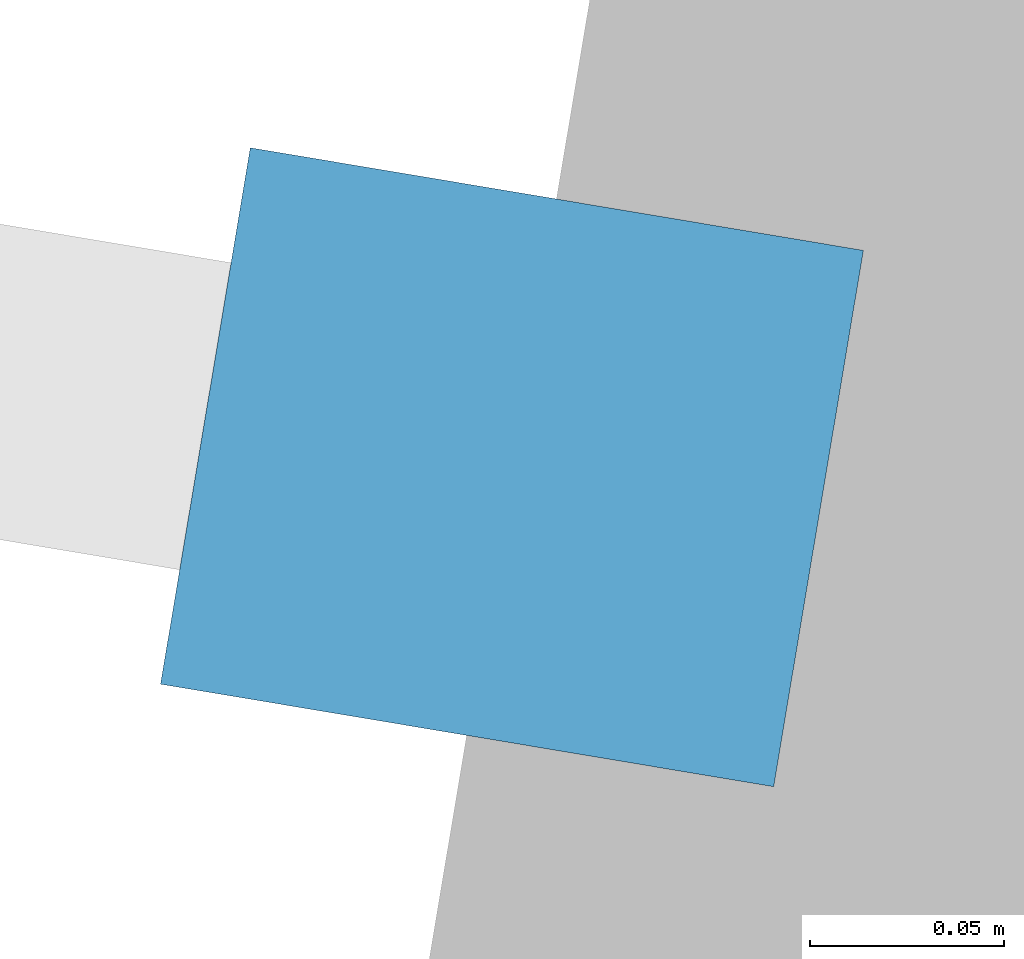
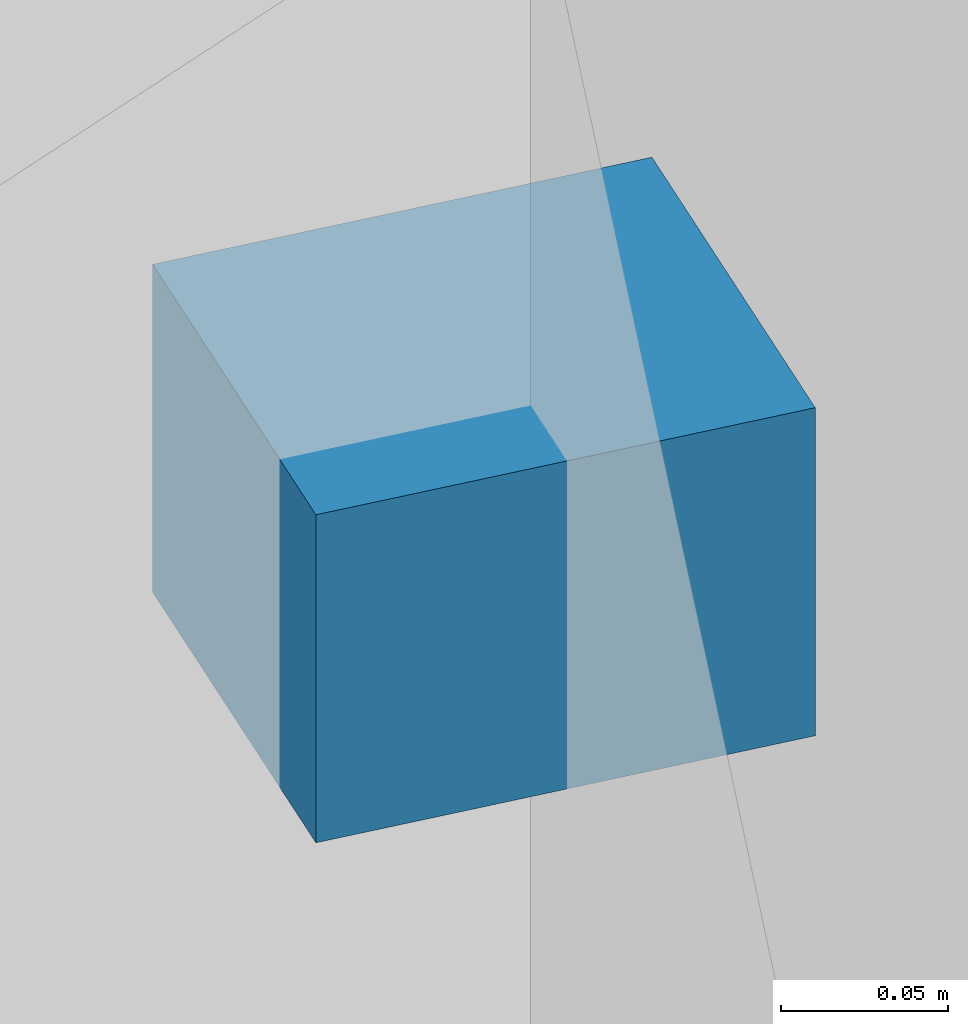
# One storey, part 99 of 109: 1 discrete accessory.
"""IFC4 building model written with IfcOpenShell, lengths in metres."""

from ifc_helpers import new_model, si_unit, direction, frame, origin, origin_2d, place, context, subcontext, project, spatial, rectangle, extrude, material, type_object, element, save


model = new_model("IFC4")

# Units and contexts
model_context = context("Model", 3, precision=1e-05, world=origin(), true_north=direction((0.0, 1.0)))
body_context = subcontext(model_context, "Body", "Model", "MODEL_VIEW")
ifc_project = project(units=[si_unit("LENGTHUNIT", "METRE"), si_unit("AREAUNIT", "SQUARE_METRE"), si_unit("VOLUMEUNIT", "CUBIC_METRE"), si_unit("PLANEANGLEUNIT", "RADIAN"), si_unit("MASSUNIT", "GRAM", prefix="KILO")], contexts=[model_context])

# Site, building, storey
site_placement = place(None, origin())
site = spatial("IfcSite", under=ifc_project, at=site_placement, CompositionType="ELEMENT")
building_placement = place(site_placement, origin())
building = spatial("IfcBuilding", under=site, at=building_placement, Name="Vireo Bluff Cable Station", CompositionType="ELEMENT")
storey_placement = place(building_placement, frame((0.0, 0.0, 4.800048828125)))
storey = spatial("IfcBuildingStorey", under=building, at=storey_placement, Name="L01", CompositionType="ELEMENT", Elevation=4.800048828125)

# Discrete accessory
ifc_material = material(Name="Stainless Steel 316", Category="steel")
discrete_accessory_type = type_object("IfcDiscreteAccessoryType", Name="FACADE-BRACKET-01", PredefinedType="BRACKET", material=ifc_material)
discrete_accessory_placement = place(storey_placement, frame((7.00146484375, 81.623046875, 1.789794921875), z_axis=(0.0, 0.0, 1.0), x_axis=(0.165047618169, 0.986285599478, 0.0)))
element("IfcDiscreteAccessory", 1, at=discrete_accessory_placement, inside=storey, type_object=discrete_accessory_type, Name="V4 L01 solar fin bracket 28", PredefinedType="BRACKET", context=body_context, shape_type="SweptSolid", body=[
    extrude(rectangle(XDim=0.139892578125, YDim=0.159912109375, at=origin_2d()), origin(), (0.0, 0.0, 1.0), 0.1201171875),
])

save(model, "model.ifc")
